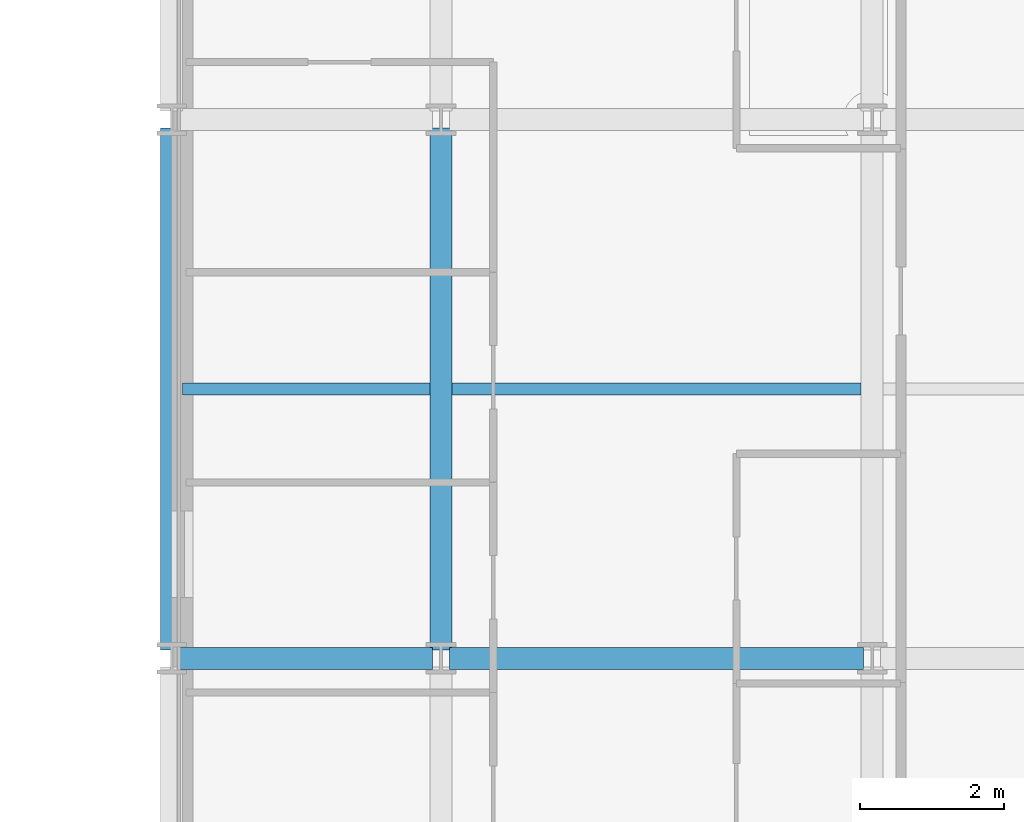
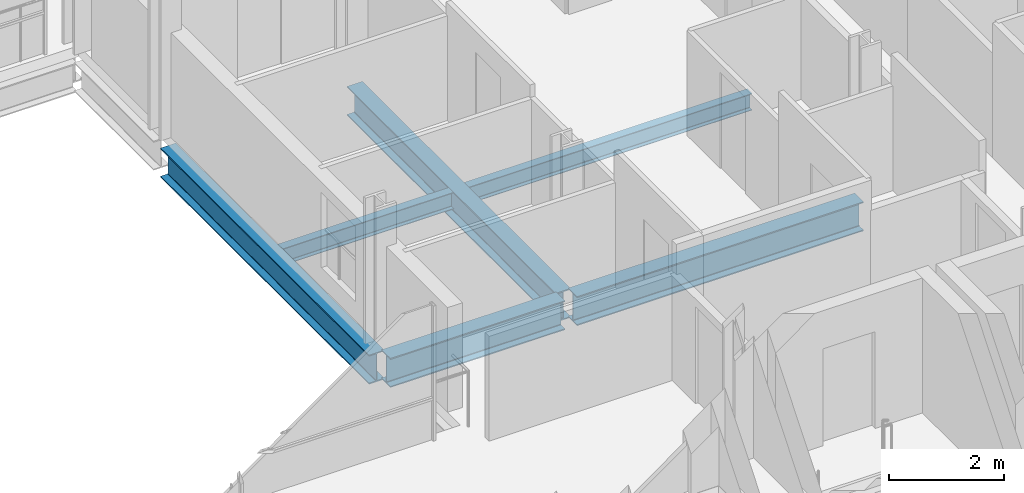
# One storey, part 16 of 41: 6 beams.
"""IFC4 building model written with IfcOpenShell, lengths in metres."""

from ifc_helpers import new_model, si_unit, direction, frame, origin, origin_2d, place, context, subcontext, project, spatial, i_section, extrude, material, material_profile, profile_set, type_object, element, save


model = new_model("IFC4")

# Units and contexts
model_context = context("Model", 3, precision=1e-05, world=origin(), true_north=direction((0.0, 1.0)))
body_context = subcontext(model_context, "Body", "Model", "MODEL_VIEW")
ifc_project = project(units=[si_unit("LENGTHUNIT", "METRE"), si_unit("AREAUNIT", "SQUARE_METRE"), si_unit("VOLUMEUNIT", "CUBIC_METRE"), si_unit("PLANEANGLEUNIT", "RADIAN"), si_unit("MASSUNIT", "GRAM", prefix="KILO")], contexts=[model_context])

# Site, building, storey
site_placement = place(None, origin())
site = spatial("IfcSite", under=ifc_project, at=site_placement, CompositionType="ELEMENT")
building_placement = place(site_placement, origin())
building = spatial("IfcBuilding", under=site, at=building_placement, Name="Brevholm Reach", CompositionType="ELEMENT")
storey_placement = place(building_placement, frame((0.0, 0.0, 74.5)))
storey = spatial("IfcBuildingStorey", under=building, at=storey_placement, Name="L21", CompositionType="ELEMENT", Elevation=74.5)

# Beams
ifc_material_1 = material(Name="Structural Steel S355J2", Category="steel")
ifc_material_profile_1 = material_profile(ifc_material_1, i_section(OverallWidth=0.17138671875, OverallDepth=0.35498046875, WebThickness=0.00732421875, FlangeThickness=0.011474609375, FilletRadius=0.01025390625, at=origin_2d()), Name="UKB 356x171x51")
ifc_profile_set_1 = profile_set([ifc_material_profile_1], Name="Structural Steel S355J2")
beam_type_1 = type_object("IfcBeamType", Name="BM-B356", PredefinedType="BEAM", material=ifc_profile_set_1)
beam_1_placement = place(storey_placement, frame((38.403564453125, 19.75, -0.407470703125), z_axis=(1.0, 0.0, 0.0), x_axis=(0.0, 1.0, 0.0)))
element("IfcBeam", 1, at=beam_1_placement, inside=storey, type_object=beam_type_1, Name="L21 Composite Secondary Floor Beam", PredefinedType="BEAM", context=body_context, shape_type="SweptSolid", body=[
    extrude(i_section(OverallWidth=0.17138671875, OverallDepth=0.35498046875, WebThickness=0.00732421875, FlangeThickness=0.011474609375, FilletRadius=0.01025390625, at=origin_2d()), origin(), (0.0, 0.0, 1.0), 3.44287109375),
])
beam_2_placement = place(storey_placement, frame((42.153564453125, 19.75, -0.407470703125), z_axis=(1.0, 0.0, 0.0), x_axis=(0.0, 1.0, 0.0)))
element("IfcBeam", 2, at=beam_2_placement, inside=storey, type_object=beam_type_1, Name="L21 Composite Secondary Floor Beam", PredefinedType="BEAM", context=body_context, shape_type="SweptSolid", body=[
    extrude(i_section(OverallWidth=0.17138671875, OverallDepth=0.35498046875, WebThickness=0.00732421875, FlangeThickness=0.011474609375, FilletRadius=0.01025390625, at=origin_2d()), origin(), (0.0, 0.0, 1.0), 5.69287109375),
])
ifc_material_2 = material(Name="Structural Steel S355J2", Category="steel")
ifc_material_profile_2 = material_profile(ifc_material_2, i_section(OverallWidth=0.30712890625, OverallDepth=0.6201171875, WebThickness=0.01416015625, FlangeThickness=0.023681640625, FilletRadius=0.0166015625, at=origin_2d()), Name="UKB 610x305x179")
ifc_profile_set_2 = profile_set([ifc_material_profile_2], Name="Structural Steel S355J2")
beam_type_2 = type_object("IfcBeamType", Name="BM-UKB610H", PredefinedType="USERDEFINED", material=ifc_profile_set_2)
beam_3_placement = place(storey_placement, frame((38.3701171875, 16.0, -0.5400390625), z_axis=(1.0, 0.0, 0.0), x_axis=(0.0, 1.0, 0.0)))
element("IfcBeam", 3, at=beam_3_placement, inside=storey, type_object=beam_type_2, Name="L21 G-06 Framing Beam", ObjectType="GIRDER", PredefinedType="USERDEFINED", context=body_context, shape_type="SweptSolid", body=[
    extrude(i_section(OverallWidth=0.30712890625, OverallDepth=0.6201171875, WebThickness=0.01416015625, FlangeThickness=0.023681640625, FilletRadius=0.0166015625, at=origin_2d()), origin(), (0.0, 0.0, 1.0), 3.509765625),
])
beam_4_placement = place(storey_placement, frame((42.1201171875, 16.0, -0.5400390625), z_axis=(1.0, 0.0, 0.0), x_axis=(0.0, 1.0, 0.0)))
element("IfcBeam", 4, at=beam_4_placement, inside=storey, type_object=beam_type_2, Name="L21 G-06 Framing Beam", ObjectType="GIRDER", PredefinedType="USERDEFINED", context=body_context, shape_type="SweptSolid", body=[
    extrude(i_section(OverallWidth=0.30712890625, OverallDepth=0.6201171875, WebThickness=0.01416015625, FlangeThickness=0.023681640625, FilletRadius=0.0166015625, at=origin_2d()), origin(), (0.0, 0.0, 1.0), 5.759765625),
])
for number, where, z_axis, x_axis, name in (
    (5, (38.25, 16.1201171875, -0.5400390625), (0.0, 1.0, 0.0), (-1.0, 0.0, 0.0), "L21 G-06 Framing Beam"),
    (6, (42.0, 16.1201171875, -0.5400390625), (0.0, 1.0, 0.0), (-1.0, 0.0, 0.0), "L21 G-06 Framing Beam"),
):
    element("IfcBeam", number, at=place(storey_placement, frame(where, z_axis=z_axis, x_axis=x_axis)), inside=storey, type_object=beam_type_2, Name=name, ObjectType="GIRDER", PredefinedType="USERDEFINED", context=body_context, shape_type="SweptSolid", body=[
        extrude(i_section(OverallWidth=0.30712890625, OverallDepth=0.6201171875, WebThickness=0.01416015625, FlangeThickness=0.023681640625, FilletRadius=0.0166015625, at=origin_2d()), origin(), (0.0, 0.0, 1.0), 7.259765625),
    ])

save(model, "model.ifc")
